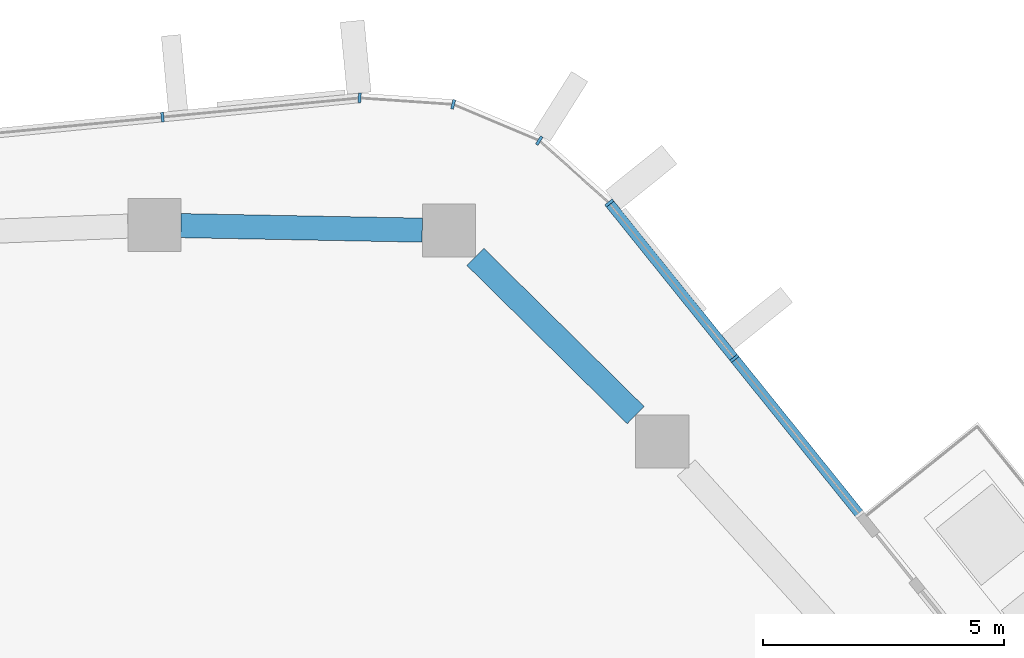
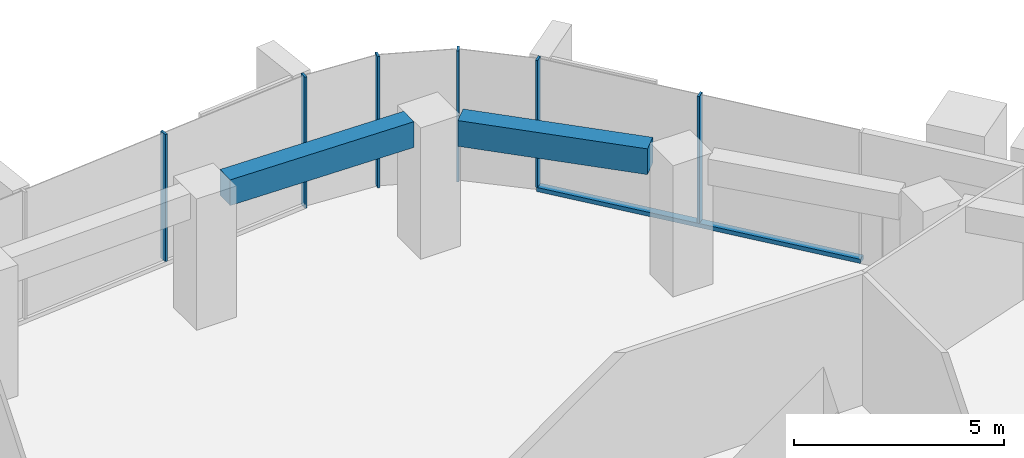
# One storey, part 9 of 20: 7 members, 2 beams, 3 elements without a shape of their own.
"""IFC4 building model written with IfcOpenShell, lengths in metres."""

from ifc_helpers import new_model, si_unit, direction, frame, origin, origin_2d, place, context, subcontext, project, spatial, rectangle, extrude, material, layer, layer_set, material_profile, profile_set, type_object, element, aggregate, save


model = new_model("IFC4")

# Units and contexts
model_context = context("Model", 3, precision=1e-05, world=origin(), true_north=direction((0.0, 1.0)))
body_context = subcontext(model_context, "Body", "Model", "MODEL_VIEW")
ifc_project = project(units=[si_unit("LENGTHUNIT", "METRE"), si_unit("AREAUNIT", "SQUARE_METRE"), si_unit("VOLUMEUNIT", "CUBIC_METRE"), si_unit("PLANEANGLEUNIT", "RADIAN"), si_unit("MASSUNIT", "GRAM", prefix="KILO")], contexts=[model_context])

# Site, building, storey
site_placement = place(None, origin())
site = spatial("IfcSite", under=ifc_project, at=site_placement, CompositionType="ELEMENT")
building_placement = place(site_placement, origin())
building = spatial("IfcBuilding", under=site, at=building_placement, Name="Dongbaek Canopy Tower", CompositionType="ELEMENT")
storey_placement = place(building_placement, frame((0.0, 0.0, 258.0)))
storey = spatial("IfcBuildingStorey", under=building, at=storey_placement, Name="L54", CompositionType="ELEMENT", Elevation=258.0)

# Curtain wall, members
ifc_material_1 = material(Name="Aluminium 6063-T6 pale anodised", Category="aluminium")
ifc_layer = layer(ifc_material_1, 0.199951171875)
ifc_layer_set = layer_set([ifc_layer], Name="CW-1 unitised tower curtain wall")
curtain_wall_type = type_object("IfcCurtainWallType", Name="CW-1 unitised tower curtain wall", PredefinedType="NOTDEFINED", material=ifc_layer_set)
curtain_wall_1_placement = place(storey_placement, origin())
curtain_wall_1 = element("IfcCurtainWall", 1, at=curtain_wall_1_placement, inside=storey, type_object=curtain_wall_type, Name="CW-1 curtain wall F0.1", PredefinedType="NOTDEFINED")
ifc_material_2 = material(Name="Aluminium 6063-T6 pale anodised", Category="aluminium")
ifc_material_profile_1 = material_profile(ifc_material_2, rectangle(XDim=0.199951171875, YDim=0.06005859375, at=origin_2d()), Name="CW-1 mullion 60 x 200")
ifc_profile_set_1 = profile_set([ifc_material_profile_1], Name="Aluminium 6063-T6 pale anodised")
member_type_1 = type_object("IfcMemberType", Name="CW-1 mullion 60 x 200", PredefinedType="MULLION", material=ifc_profile_set_1)
member_1_placement = place(storey_placement, frame((16.91357421875, 21.947998046875, 0.1201171875), z_axis=(0.0, 0.0, 1.0), x_axis=(0.779126406475, 0.626866846096, 0.0)))
member_1 = element("IfcMember", 2, at=member_1_placement, type_object=member_type_1, Name="CW-1 mullion F0.1.2", PredefinedType="MULLION", context=body_context, shape_type="SweptSolid", body=[
    extrude(rectangle(XDim=0.199951171875, YDim=0.06005859375, at=origin_2d()), origin(), (0.0, 0.0, 1.0), 3.699951171875),
])
member_2_placement = place(storey_placement, frame((14.3193359375, 25.17236328125, 0.1201171875), z_axis=(0.0, 0.0, 1.0), x_axis=(0.779126406475, 0.626866846096, 0.0)))
member_2 = element("IfcMember", 3, at=member_2_placement, type_object=member_type_1, Name="CW-1 mullion F0.1.3", PredefinedType="MULLION", context=body_context, shape_type="SweptSolid", body=[
    extrude(rectangle(XDim=0.199951171875, YDim=0.06005859375, at=origin_2d()), origin(), (0.0, 0.0, 1.0), 3.699951171875),
])

curtain_wall_2_placement = place(storey_placement, origin())
curtain_wall_2 = element("IfcCurtainWall", 4, at=curtain_wall_2_placement, inside=storey, type_object=curtain_wall_type, Name="CW-1 curtain wall K1.1", PredefinedType="NOTDEFINED")
member_3_placement = place(storey_placement, frame((12.866943359375, 26.4677734375, 0.0), z_axis=(0.0, 0.0, 1.0), x_axis=(0.53397526662, 0.845500097361, 0.0)))
member_3 = element("IfcMember", 5, at=member_3_placement, type_object=member_type_1, Name="CW-1 mullion K1.1.2", PredefinedType="MULLION", context=body_context, shape_type="SweptSolid", body=[
    extrude(rectangle(XDim=0.199951171875, YDim=0.06005859375, at=origin_2d()), origin(), (0.0, 0.0, 1.0), 3.820068359375),
])
member_4_placement = place(storey_placement, frame((11.0810546875, 27.21923828125, 0.0), z_axis=(0.0, 0.0, 1.0), x_axis=(0.231208419805, 0.97290424329, 0.0)))
member_4 = element("IfcMember", 6, at=member_4_placement, type_object=member_type_1, Name="CW-1 mullion K1.1.3", PredefinedType="MULLION", context=body_context, shape_type="SweptSolid", body=[
    extrude(rectangle(XDim=0.199951171875, YDim=0.06005859375, at=origin_2d()), origin(), (0.0, 0.0, 1.0), 3.820068359375),
])
member_5_placement = place(storey_placement, frame((9.1396484375, 27.35205078125, 0.0), z_axis=(0.0, 0.0, 1.0), x_axis=(0.06827854959, 0.997666296748, 0.0)))
member_5 = element("IfcMember", 7, at=member_5_placement, type_object=member_type_1, Name="CW-1 mullion K1.1.4", PredefinedType="MULLION", context=body_context, shape_type="SweptSolid", body=[
    extrude(rectangle(XDim=0.199951171875, YDim=0.06005859375, at=origin_2d()), origin(), (0.0, 0.0, 1.0), 3.820068359375),
])
aggregate(curtain_wall_2, [member_3, member_4, member_5])

# Curtain wall, member
curtain_wall_3_placement = place(storey_placement, origin())
curtain_wall_3 = element("IfcCurtainWall", 8, at=curtain_wall_3_placement, inside=storey, type_object=curtain_wall_type, Name="CW-1 curtain wall F1.1", PredefinedType="NOTDEFINED")
member_6_placement = place(storey_placement, frame((5.051513671875, 26.95556640625, 0.1201171875), z_axis=(0.0, 0.0, 1.0), x_axis=(-0.096505718384, 0.995332430055, 0.0)))
member_6 = element("IfcMember", 9, at=member_6_placement, type_object=member_type_1, Name="CW-1 mullion F1.1.2", PredefinedType="MULLION", context=body_context, shape_type="SweptSolid", body=[
    extrude(rectangle(XDim=0.199951171875, YDim=0.06005859375, at=origin_2d()), origin(), (0.0, 0.0, 1.0), 3.699951171875),
])
aggregate(curtain_wall_3, [member_6])

# Member
ifc_material_3 = material(Name="Aluminium 6063-T6 pale anodised", Category="aluminium")
ifc_material_profile_2 = material_profile(ifc_material_3, rectangle(XDim=0.199951171875, YDim=0.1201171875, at=origin_2d()), Name="CW-1 transom 120 x 200")
ifc_profile_set_2 = profile_set([ifc_material_profile_2], Name="Aluminium 6063-T6 pale anodised")
member_type_2 = type_object("IfcMemberType", Name="CW-1 transom 120 x 200", PredefinedType="USERDEFINED", material=ifc_profile_set_2)
member_7_placement = place(storey_placement, frame((19.51318359375, 18.717041015625, 0.06005859375), z_axis=(-0.626870264411, 0.779123656166, 0.0), x_axis=(-0.779123656166, -0.626870264411, 0.0)))
member_7 = element("IfcMember", 10, at=member_7_placement, type_object=member_type_2, Name="CW-1 transom F0.1.1", ObjectType="TRANSOM", PredefinedType="USERDEFINED", context=body_context, shape_type="SweptSolid", body=[
    extrude(rectangle(XDim=0.199951171875, YDim=0.1201171875, at=origin_2d()), origin(), (0.0, 0.0, 1.0), 8.285400390625),
])

aggregate(curtain_wall_1, [member_1, member_2, member_7])

# Beams
ifc_material_4 = material(Name="Concrete C70", Category="concrete")
ifc_material_profile_3 = material_profile(ifc_material_4, rectangle(XDim=0.5, YDim=0.75, at=origin_2d()), Name="RC EDGE BEAM 500x750 C70")
ifc_profile_set_3 = profile_set([ifc_material_profile_3], Name="Concrete C70")
beam_type = type_object("IfcBeamType", Name="RC EDGE BEAM 500x750 C70", PredefinedType="BEAM", material=ifc_profile_set_3)
beam_1_placement = place(storey_placement, frame((5.43310546875, 24.70361328125, 3.445068359375), z_axis=(0.999822914654, -0.018818590065, 0.0), x_axis=(0.018818590065, 0.999822914654, 0.0)))
element("IfcBeam", 11, at=beam_1_placement, inside=storey, type_object=beam_type, Name="EDGEBEAM:L54:16", PredefinedType="BEAM", context=body_context, shape_type="SweptSolid", body=[
    extrude(rectangle(XDim=0.5, YDim=0.75, at=origin_2d()), origin(), (0.0, 0.0, 1.0), 5.0078125),
])
beam_2_placement = place(storey_placement, frame((11.5400390625, 24.05615234375, 3.445068359375), z_axis=(0.711738619198, -0.70244440203, 0.0), x_axis=(0.70244440203, 0.711738619198, 0.0)))
element("IfcBeam", 12, at=beam_2_placement, inside=storey, type_object=beam_type, Name="EDGEBEAM:L54:17", PredefinedType="BEAM", context=body_context, shape_type="SweptSolid", body=[
    extrude(rectangle(XDim=0.5, YDim=0.75, at=origin_2d()), origin(), (0.0, 0.0, 1.0), 4.67578125),
])

save(model, "model.ifc")
